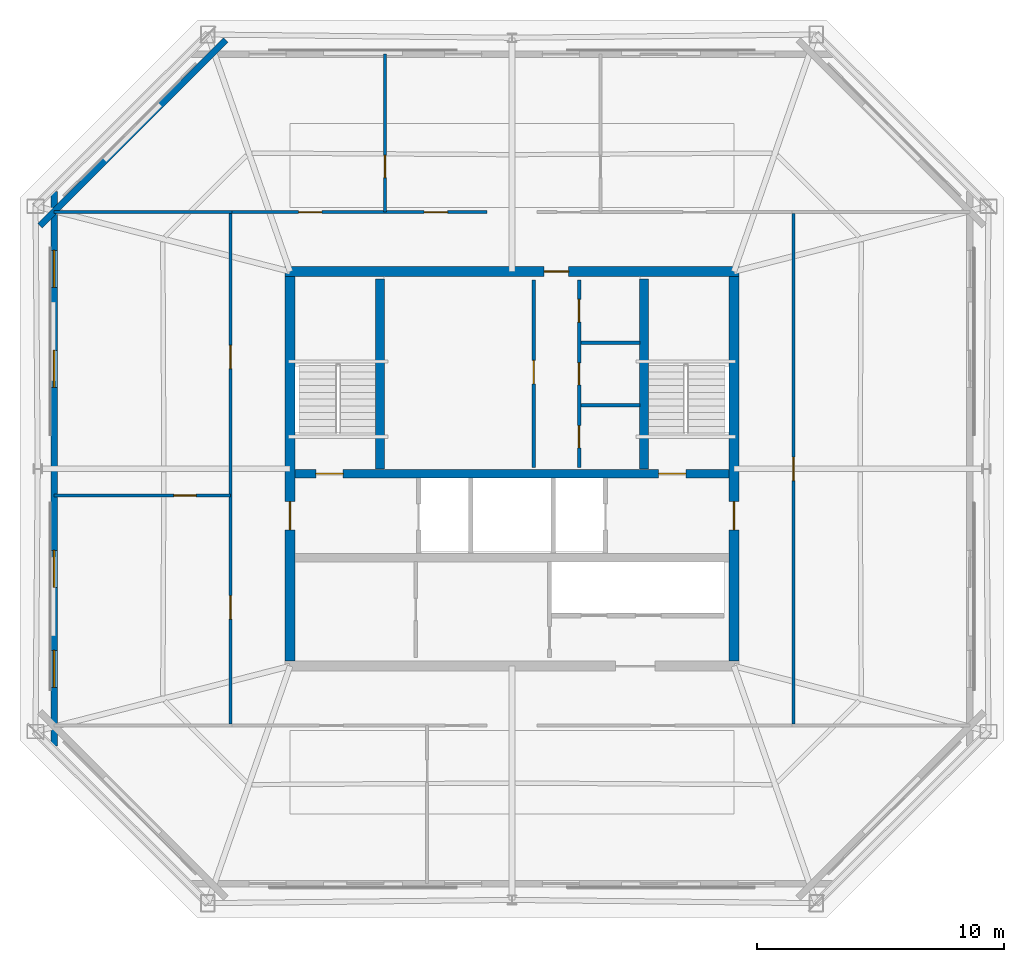
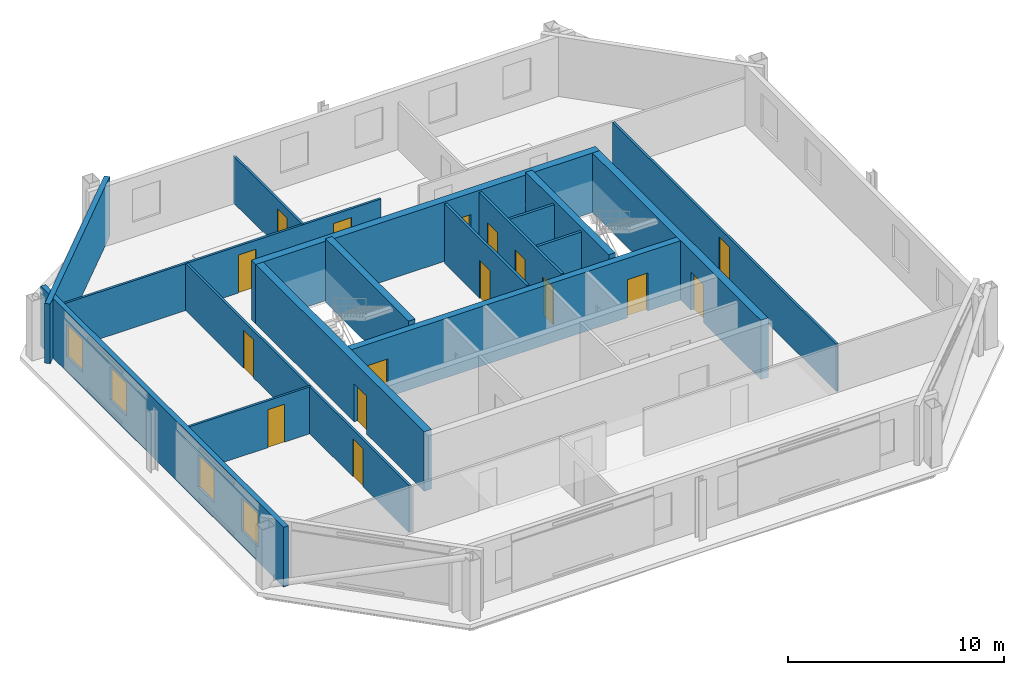
# One storey, part 3 of 6: 18 walls, 16 doors, 4 windows, 20 openings.
"""IFC4 building model written with IfcOpenShell, lengths in metres."""

from ifc_helpers import new_model, si_unit, direction, frame, frame_2d, origin, place, context, subcontext, project, spatial, rectangle, extrude, material, layer, layer_set, type_object, element, fill, save


model = new_model("IFC4")

# Units and contexts
model_context = context("Model", 3, precision=1e-05, world=origin(), true_north=direction((0.0, 1.0)))
body_context = subcontext(model_context, "Body", "Model", "MODEL_VIEW")
ifc_project = project(units=[si_unit("LENGTHUNIT", "METRE"), si_unit("AREAUNIT", "SQUARE_METRE"), si_unit("VOLUMEUNIT", "CUBIC_METRE"), si_unit("PLANEANGLEUNIT", "RADIAN"), si_unit("MASSUNIT", "GRAM", prefix="KILO")], contexts=[model_context])

# Site, building, storey
site_placement = place(None, origin())
site = spatial("IfcSite", under=ifc_project, at=site_placement, CompositionType="ELEMENT")
building_placement = place(site_placement, origin())
building = spatial("IfcBuilding", under=site, at=building_placement, Name="Caelvoria Tower", CompositionType="ELEMENT")
storey_placement = place(building_placement, frame((0.0, 0.0, 243.0)))
storey = spatial("IfcBuildingStorey", under=building, at=storey_placement, Name="L64", CompositionType="ELEMENT", Elevation=243.0)

# Wall, openings, doors
ifc_material_1 = material(Name="Concrete C50/60", Category="concrete")
ifc_layer_1 = layer(ifc_material_1, 0.35009765625, Name="Concrete C50/60")
ifc_layer_set_1 = layer_set([ifc_layer_1], Name="Core Internal Shear Wall 350 - Concrete C50/60")
wall_type_1 = type_object("IfcWallType", Name="Core Internal Shear Wall 350", PredefinedType="SHEAR", material=ifc_layer_set_1)
wall_1_placement = place(storey_placement, frame((37.199951171875, 31.800048828125, 0.0), z_axis=(0.0, 0.0, 1.0), x_axis=(1.0, 0.0, 0.0)))
wall_1 = element("IfcWall", 1, at=wall_1_placement, inside=storey, type_object=wall_type_1, Name="Core Shear Wall L64 M1", PredefinedType="SHEAR", context=body_context, shape_type="SweptSolid", body=[
    extrude(rectangle(XDim=17.60009765625, YDim=0.35009765625, at=frame_2d((8.800048828125, 0.0))), origin(), (0.0, 0.0, 1.0), 3.360107421875),
])
opening_1_placement = place(wall_1_placement, frame((0.85009765625, 0.0, 0.0)))
opening_1 = element("IfcOpeningElement", 2, at=opening_1_placement, cuts=wall_1, Name="Opening ID-01", PredefinedType="OPENING", context=body_context, shape_type="SweptSolid", body=[
    extrude(rectangle(XDim=1.10009765625, YDim=2.14990234375, at=frame_2d((0.550048828125, 1.074951171875))), frame((0.0, 0.18505859375, 0.0), z_axis=(0.0, -1.0, 0.0), x_axis=(1.0, 0.0, 0.0)), (0.0, 0.0, 1.0), 0.3701171875),
])
opening_2_placement = place(wall_1_placement, frame((14.75, 0.0, 0.0)))
opening_2 = element("IfcOpeningElement", 3, at=opening_2_placement, cuts=wall_1, Name="Opening ID-01", PredefinedType="OPENING", context=body_context, shape_type="SweptSolid", body=[
    extrude(rectangle(XDim=1.10009765625, YDim=2.14990234375, at=frame_2d((0.550048828125, 1.074951171875))), frame((0.0, 0.18505859375, 0.0), z_axis=(0.0, -1.0, 0.0), x_axis=(1.0, 0.0, 0.0)), (0.0, 0.0, 1.0), 0.3701171875),
])
ifc_material_2 = material(Name="Painted Hollow Steel Fire Door", Category="steel")
door_type_1 = type_object("IfcDoorType", Name="Fire Door FD90S 1100x2150", OperationType="NOTDEFINED", PredefinedType="DOOR", material=ifc_material_2)
door_1_placement = place(opening_1_placement, origin())
door_1 = element("IfcDoor", 4, at=door_1_placement, inside=storey, type_object=door_type_1, Name="Core Door DR-L64-ST1", OperationType="SINGLE_SWING_LEFT", OverallHeight=2.14990234375, OverallWidth=1.10009765625, PredefinedType="DOOR", context=body_context, shape_type="SweptSolid", body=[
    extrude(rectangle(XDim=1.10009765625, YDim=2.14990234375, at=frame_2d((0.550048828125, 1.074951171875))), frame((0.0, 0.02490234375, 0.0), z_axis=(0.0, -1.0, 0.0), x_axis=(1.0, 0.0, 0.0)), (0.0, 0.0, 1.0), 0.050048828125),
])
fill(opening_1, door_1)
door_2_placement = place(opening_2_placement, origin())
door_2 = element("IfcDoor", 5, at=door_2_placement, inside=storey, type_object=door_type_1, Name="Core Door DR-L64-ST2", OperationType="SINGLE_SWING_RIGHT", OverallHeight=2.14990234375, OverallWidth=1.10009765625, PredefinedType="DOOR", context=body_context, shape_type="SweptSolid", body=[
    extrude(rectangle(XDim=1.10009765625, YDim=2.14990234375, at=frame_2d((0.550048828125, 1.074951171875))), frame((0.0, 0.02490234375, 0.0), z_axis=(0.0, -1.0, 0.0), x_axis=(1.0, 0.0, 0.0)), (0.0, 0.0, 1.0), 0.050048828125),
])
fill(opening_2, door_2)

# Walls
for number, where, z_axis, x_axis, name in (
    (6, (40.64990234375, 32.0, 0.0), (0.0, 0.0, 1.0), (0.0, 1.0, 0.0), "Interior Partition IW-L64-ST1E"),
    (7, (51.35009765625, 32.0, 0.0), (0.0, 0.0, 1.0), (0.0, 1.0, 0.0), "Interior Partition IW-L64-ST2W"),
):
    element("IfcWall", number, at=place(storey_placement, frame(where, z_axis=z_axis, x_axis=x_axis)), inside=storey, type_object=wall_type_1, Name=name, PredefinedType="SHEAR", context=body_context, shape_type="SweptSolid", body=[
        extrude(rectangle(XDim=7.699951171875, YDim=0.35009765625, at=frame_2d((3.85009765625, 0.0))), origin(), (0.0, 0.0, 1.0), 3.60009765625),
    ])

# Wall, opening, door
ifc_material_3 = material(Name="Moisture-Resistant Gypsum on Steel Stud", Category="steel")
ifc_layer_2 = layer(ifc_material_3, 0.139892578125, Name="Moisture-Resistant Gypsum on Steel Stud")
ifc_layer_set_2 = layer_set([ifc_layer_2], Name="Core Sanitary Acoustic Partition Wall 140 - Moisture-Resistant Gypsum on Steel Stud")
wall_type_2 = type_object("IfcWallType", Name="Core Sanitary Acoustic Partition Wall 140", PredefinedType="PARTITIONING", material=ifc_layer_set_2)
wall_2_placement = place(storey_placement, frame((46.8798828125, 32.050048828125, 0.0), z_axis=(0.0, 0.0, 1.0), x_axis=(0.0, 1.0, 0.0)))
wall_2 = element("IfcWall", 8, at=wall_2_placement, inside=storey, type_object=wall_type_2, Name="Interior Partition IW-L64-C2L", PredefinedType="PARTITIONING", context=body_context, shape_type="SweptSolid", body=[
    extrude(rectangle(XDim=7.599853515625, YDim=0.139892578125, at=frame_2d((3.7998046875, 0.0))), origin(), (0.0, 0.0, 1.0), 3.375),
])
opening_3_placement = place(wall_2_placement, frame((3.39990234375, 0.0, 0.0)))
opening_3 = element("IfcOpeningElement", 9, at=opening_3_placement, cuts=wall_2, Name="Opening ID-05", PredefinedType="OPENING", context=body_context, shape_type="SweptSolid", body=[
    extrude(rectangle(XDim=0.949951171875, YDim=2.14990234375, at=frame_2d((0.47509765625, 1.074951171875))), frame((0.0, 0.079833984375, 0.0), z_axis=(0.0, -1.0, 0.0), x_axis=(1.0, 0.0, 0.0)), (0.0, 0.0, 1.0), 0.159912109375),
])
ifc_material_4 = material(Name="Engineered Andean Oak Veneer Door", Category="wood")
door_type_2 = type_object("IfcDoorType", Name="Interior Timber Door 950x2150", OperationType="NOTDEFINED", PredefinedType="DOOR", material=ifc_material_4)
door_3_placement = place(opening_3_placement, origin())
door_3 = element("IfcDoor", 10, at=door_3_placement, inside=storey, type_object=door_type_2, Name="Interior Door DR-L64-C2W", OperationType="SINGLE_SWING_LEFT", OverallHeight=2.14990234375, OverallWidth=0.949951171875, PredefinedType="DOOR", context=body_context, shape_type="SweptSolid", body=[
    extrude(rectangle(XDim=0.949951171875, YDim=2.14990234375, at=frame_2d((0.47509765625, 1.074951171875))), frame((0.0, 0.02490234375, 0.0), z_axis=(0.0, -1.0, 0.0), x_axis=(1.0, 0.0, 0.0)), (0.0, 0.0, 1.0), 0.050048828125),
])
fill(opening_3, door_3)

# Wall, openings, doors
wall_3_placement = place(storey_placement, frame((48.719970703125, 32.050048828125, 0.0), z_axis=(0.0, 0.0, 1.0), x_axis=(0.0, 1.0, 0.0)))
wall_3 = element("IfcWall", 11, at=wall_3_placement, inside=storey, type_object=wall_type_2, Name="Interior Partition IW-L64-C2R", PredefinedType="PARTITIONING", context=body_context, shape_type="SweptSolid", body=[
    extrude(rectangle(XDim=7.599853515625, YDim=0.139892578125, at=frame_2d((3.7998046875, 0.0))), origin(), (0.0, 0.0, 1.0), 3.375),
])
opening_4_placement = place(wall_3_placement, frame((0.800048828125, 0.0, 0.0)))
opening_4 = element("IfcOpeningElement", 12, at=opening_4_placement, cuts=wall_3, Name="Opening ID-04", PredefinedType="OPENING", context=body_context, shape_type="SweptSolid", body=[
    extrude(rectangle(XDim=0.89990234375, YDim=2.14990234375, at=frame_2d((0.449951171875, 1.074951171875))), frame((0.0, 0.079833984375, 0.0), z_axis=(0.0, -1.0, 0.0), x_axis=(1.0, 0.0, 0.0)), (0.0, 0.0, 1.0), 0.159912109375),
])
opening_5_placement = place(wall_3_placement, frame((3.35009765625, 0.0, 0.0)))
opening_5 = element("IfcOpeningElement", 13, at=opening_5_placement, cuts=wall_3, Name="Opening ID-06", PredefinedType="OPENING", context=body_context, shape_type="SweptSolid", body=[
    extrude(rectangle(XDim=0.89990234375, YDim=2.14990234375, at=frame_2d((0.449951171875, 1.074951171875))), frame((0.0, 0.079833984375, 0.0), z_axis=(0.0, -1.0, 0.0), x_axis=(1.0, 0.0, 0.0)), (0.0, 0.0, 1.0), 0.159912109375),
])
opening_6_placement = place(wall_3_placement, frame((5.89990234375, 0.0, 0.0)))
opening_6 = element("IfcOpeningElement", 14, at=opening_6_placement, cuts=wall_3, Name="Opening ID-07", PredefinedType="OPENING", context=body_context, shape_type="SweptSolid", body=[
    extrude(rectangle(XDim=0.919921875, YDim=2.14990234375, at=frame_2d((0.4599609375, 1.074951171875))), frame((0.0, 0.079833984375, 0.0), z_axis=(0.0, -1.0, 0.0), x_axis=(1.0, 0.0, 0.0)), (0.0, 0.0, 1.0), 0.159912109375),
])
ifc_material_5 = material(Name="Engineered Andean Oak Accessible Door", Category="wood")
door_type_3 = type_object("IfcDoorType", Name="Accessible WC Door 950x2150", OperationType="NOTDEFINED", PredefinedType="DOOR", material=ifc_material_5)
door_4_placement = place(opening_6_placement, origin())
door_4 = element("IfcDoor", 15, at=door_4_placement, inside=storey, type_object=door_type_3, Name="Interior Door DR-L64-C2E3", OperationType="SINGLE_SWING_RIGHT", OverallHeight=2.14990234375, OverallWidth=0.919921875, PredefinedType="DOOR", context=body_context, shape_type="SweptSolid", body=[
    extrude(rectangle(XDim=0.919921875, YDim=2.14990234375, at=frame_2d((0.4599609375, 1.074951171875))), frame((0.0, 0.02490234375, 0.0), z_axis=(0.0, -1.0, 0.0), x_axis=(1.0, 0.0, 0.0)), (0.0, 0.0, 1.0), 0.050048828125),
])
fill(opening_6, door_4)
ifc_material_6 = material(Name="Acoustic Timber Fire Door", Category="wood")
door_type_4 = type_object("IfcDoorType", Name="Fire Door FD30S 900x2150", OperationType="NOTDEFINED", PredefinedType="DOOR", material=ifc_material_6)
door_5_placement = place(opening_4_placement, origin())
door_5 = element("IfcDoor", 16, at=door_5_placement, inside=storey, type_object=door_type_4, Name="Interior Door DR-L64-C2E1", OperationType="SINGLE_SWING_RIGHT", OverallHeight=2.14990234375, OverallWidth=0.89990234375, PredefinedType="DOOR", context=body_context, shape_type="SweptSolid", body=[
    extrude(rectangle(XDim=0.89990234375, YDim=2.14990234375, at=frame_2d((0.449951171875, 1.074951171875))), frame((0.0, 0.02490234375, 0.0), z_axis=(0.0, -1.0, 0.0), x_axis=(1.0, 0.0, 0.0)), (0.0, 0.0, 1.0), 0.050048828125),
])
fill(opening_4, door_5)
door_type_5 = type_object("IfcDoorType", Name="Interior Timber Door 900x2150", OperationType="NOTDEFINED", PredefinedType="DOOR", material=ifc_material_4)
door_6_placement = place(opening_5_placement, origin())
door_6 = element("IfcDoor", 17, at=door_6_placement, inside=storey, type_object=door_type_5, Name="Interior Door DR-L64-C2E2", OperationType="SINGLE_SWING_LEFT", OverallHeight=2.14990234375, OverallWidth=0.89990234375, PredefinedType="DOOR", context=body_context, shape_type="SweptSolid", body=[
    extrude(rectangle(XDim=0.89990234375, YDim=2.14990234375, at=frame_2d((0.449951171875, 1.074951171875))), frame((0.0, 0.02490234375, 0.0), z_axis=(0.0, -1.0, 0.0), x_axis=(1.0, 0.0, 0.0)), (0.0, 0.0, 1.0), 0.050048828125),
])
fill(opening_5, door_6)

# Walls
for number, where, z_axis, x_axis, name in (
    (18, (48.800048828125, 34.580078125, 0.0), (0.0, 0.0, 1.0), (1.0, 0.0, 0.0), "Interior Partition IW-L64-C2H1"),
    (19, (48.800048828125, 37.1201171875, 0.0), (0.0, 0.0, 1.0), (1.0, 0.0, 0.0), "Interior Partition IW-L64-C2H2"),
):
    element("IfcWall", number, at=place(storey_placement, frame(where, z_axis=z_axis, x_axis=x_axis)), inside=storey, type_object=wall_type_2, Name=name, PredefinedType="PARTITIONING", context=body_context, shape_type="SweptSolid", body=[
        extrude(rectangle(XDim=2.39990234375, YDim=0.139892578125, at=frame_2d((1.199951171875, 0.0))), origin(), (0.0, 0.0, 1.0), 3.375),
    ])

# Wall, opening, door
ifc_layer_3 = layer(ifc_material_1, 0.39990234375, Name="Concrete C50/60")
ifc_layer_set_3 = layer_set([ifc_layer_3], Name="Summit Core Shear Wall 400 - Concrete C50/60")
wall_type_3 = type_object("IfcWallType", Name="Summit Core Shear Wall 400", PredefinedType="SHEAR", material=ifc_layer_set_3)
wall_4_placement = place(storey_placement, frame((36.800048828125, 40.0, 0.0), z_axis=(0.0, 0.0, 1.0), x_axis=(1.0, 0.0, 0.0)))
wall_4 = element("IfcWall", 20, at=wall_4_placement, inside=storey, type_object=wall_type_3, Name="Core Shear Wall L64 N", PredefinedType="SHEAR", context=body_context, shape_type="SweptSolid", body=[
    extrude(rectangle(XDim=18.39990234375, YDim=0.39990234375, at=frame_2d((9.199951171875, 0.0))), origin(), (0.0, 0.0, 1.0), 3.360107421875),
])
opening_7_placement = place(wall_4_placement, frame((10.5, 0.0, 0.0)))
opening_7 = element("IfcOpeningElement", 21, at=opening_7_placement, cuts=wall_4, Name="Opening ID-03", PredefinedType="OPENING", context=body_context, shape_type="SweptSolid", body=[
    extrude(rectangle(XDim=1.0, YDim=2.14990234375, at=frame_2d((0.5, 1.074951171875))), frame((0.0, 0.2099609375, 0.0), z_axis=(0.0, -1.0, 0.0), x_axis=(1.0, 0.0, 0.0)), (0.0, 0.0, 1.0), 0.419921875),
])
door_type_6 = type_object("IfcDoorType", Name="Fire Door FD60S 1000x2150", OperationType="NOTDEFINED", PredefinedType="DOOR", material=ifc_material_2)
door_7_placement = place(opening_7_placement, origin())
door_7 = element("IfcDoor", 22, at=door_7_placement, inside=storey, type_object=door_type_6, Name="Core Door DR-L64-WC-MAIN", OperationType="SINGLE_SWING_RIGHT", OverallHeight=2.14990234375, OverallWidth=1.0, PredefinedType="DOOR", context=body_context, shape_type="SweptSolid", body=[
    extrude(rectangle(XDim=1.0, YDim=2.14990234375, at=frame_2d((0.5, 1.074951171875))), frame((0.0, 0.02490234375, 0.0), z_axis=(0.0, -1.0, 0.0), x_axis=(1.0, 0.0, 0.0)), (0.0, 0.0, 1.0), 0.050048828125),
])
fill(opening_7, door_7)

wall_5_placement = place(storey_placement, frame((37.0, 24.199951171875, 0.0), z_axis=(0.0, 0.0, 1.0), x_axis=(0.0, 1.0, 0.0)))
wall_5 = element("IfcWall", 23, at=wall_5_placement, inside=storey, type_object=wall_type_3, Name="Core Shear Wall L64 W", PredefinedType="SHEAR", context=body_context, shape_type="SweptSolid", body=[
    extrude(rectangle(XDim=15.60009765625, YDim=0.39990234375, at=frame_2d((7.800048828125, 0.0))), origin(), (0.0, 0.0, 1.0), 3.360107421875),
])
opening_8_placement = place(wall_5_placement, frame((5.324951171875, 0.0, 0.0)))
opening_8 = element("IfcOpeningElement", 24, at=opening_8_placement, cuts=wall_5, Name="Opening ID-02", PredefinedType="OPENING", context=body_context, shape_type="SweptSolid", body=[
    extrude(rectangle(XDim=1.14990234375, YDim=2.14990234375, at=frame_2d((0.574951171875, 1.074951171875))), frame((0.0, 0.2099609375, 0.0), z_axis=(0.0, -1.0, 0.0), x_axis=(1.0, 0.0, 0.0)), (0.0, 0.0, 1.0), 0.419921875),
])
door_type_7 = type_object("IfcDoorType", Name="Fire Door FD60S 1150x2150", OperationType="NOTDEFINED", PredefinedType="DOOR", material=ifc_material_2)
door_8_placement = place(opening_8_placement, origin())
door_8 = element("IfcDoor", 25, at=door_8_placement, inside=storey, type_object=door_type_7, Name="Core Door DR-L64-FFLW-OUT", OperationType="SINGLE_SWING_LEFT", OverallHeight=2.14990234375, OverallWidth=1.14990234375, PredefinedType="DOOR", context=body_context, shape_type="SweptSolid", body=[
    extrude(rectangle(XDim=1.14990234375, YDim=2.14990234375, at=frame_2d((0.574951171875, 1.074951171875))), frame((0.0, 0.02490234375, 0.0), z_axis=(0.0, -1.0, 0.0), x_axis=(1.0, 0.0, 0.0)), (0.0, 0.0, 1.0), 0.050048828125),
])
fill(opening_8, door_8)

wall_6_placement = place(storey_placement, frame((55.0, 24.199951171875, 0.0), z_axis=(0.0, 0.0, 1.0), x_axis=(0.0, 1.0, 0.0)))
wall_6 = element("IfcWall", 26, at=wall_6_placement, inside=storey, type_object=wall_type_3, Name="Core Shear Wall L64 E", PredefinedType="SHEAR", context=body_context, shape_type="SweptSolid", body=[
    extrude(rectangle(XDim=15.60009765625, YDim=0.39990234375, at=frame_2d((7.800048828125, 0.0))), origin(), (0.0, 0.0, 1.0), 3.360107421875),
])
opening_9_placement = place(wall_6_placement, frame((5.324951171875, 0.0, 0.0)))
opening_9 = element("IfcOpeningElement", 27, at=opening_9_placement, cuts=wall_6, Name="Opening ID-02", PredefinedType="OPENING", context=body_context, shape_type="SweptSolid", body=[
    extrude(rectangle(XDim=1.14990234375, YDim=2.14990234375, at=frame_2d((0.574951171875, 1.074951171875))), frame((0.0, 0.2099609375, 0.0), z_axis=(0.0, -1.0, 0.0), x_axis=(1.0, 0.0, 0.0)), (0.0, 0.0, 1.0), 0.419921875),
])
door_9_placement = place(opening_9_placement, origin())
door_9 = element("IfcDoor", 28, at=door_9_placement, inside=storey, type_object=door_type_7, Name="Core Door DR-L64-FFLE-OUT", OperationType="SINGLE_SWING_RIGHT", OverallHeight=2.14990234375, OverallWidth=1.14990234375, PredefinedType="DOOR", context=body_context, shape_type="SweptSolid", body=[
    extrude(rectangle(XDim=1.14990234375, YDim=2.14990234375, at=frame_2d((0.574951171875, 1.074951171875))), frame((0.0, 0.02490234375, 0.0), z_axis=(0.0, -1.0, 0.0), x_axis=(1.0, 0.0, 0.0)), (0.0, 0.0, 1.0), 0.050048828125),
])
fill(opening_9, door_9)

ifc_material_7 = material(Name="Acoustic Gypsum Board on Light-Gauge Stud", Category="gypsum")
ifc_layer_4 = layer(ifc_material_7, 0.1201171875, Name="Acoustic Gypsum Board on Light-Gauge Stud")
ifc_layer_set_4 = layer_set([ifc_layer_4], Name="Tenant Suite Acoustic Partition Wall 120 - Acoustic Gypsum Board on Light-Gauge Stud")
wall_type_4 = type_object("IfcWallType", Name="Tenant Suite Acoustic Partition Wall 120", PredefinedType="PARTITIONING", material=ifc_layer_set_4)
wall_7_placement = place(storey_placement, frame((40.849853515625, 42.409912109375, 0.0), z_axis=(0.0, 0.0, 1.0), x_axis=(0.0, 1.0, 0.0)))
wall_7 = element("IfcWall", 29, at=wall_7_placement, inside=storey, type_object=wall_type_4, Name="Interior Partition IW-L64-ND-00-0", PredefinedType="PARTITIONING", context=body_context, shape_type="SweptSolid", body=[
    extrude(rectangle(XDim=6.41015625, YDim=0.1201171875, at=frame_2d((3.205078125, 0.0))), origin(), (0.0, 0.0, 1.0), 2.655029296875),
])
opening_10_placement = place(wall_7_placement, frame((1.39990234375, 0.0, 0.0)))
opening_10 = element("IfcOpeningElement", 30, at=opening_10_placement, cuts=wall_7, Name="Opening ID-06", PredefinedType="OPENING", context=body_context, shape_type="SweptSolid", body=[
    extrude(rectangle(XDim=0.89990234375, YDim=2.14990234375, at=frame_2d((0.449951171875, 1.074951171875))), frame((0.0, 0.070068359375, 0.0), z_axis=(0.0, -1.0, 0.0), x_axis=(1.0, 0.0, 0.0)), (0.0, 0.0, 1.0), 0.14013671875),
])
door_10_placement = place(opening_10_placement, origin())
door_10 = element("IfcDoor", 31, at=door_10_placement, inside=storey, type_object=door_type_5, Name="Interior Door DR-L64-NM-00-0", OperationType="SINGLE_SWING_RIGHT", OverallHeight=2.14990234375, OverallWidth=0.89990234375, PredefinedType="DOOR", context=body_context, shape_type="SweptSolid", body=[
    extrude(rectangle(XDim=0.89990234375, YDim=2.14990234375, at=frame_2d((0.449951171875, 1.074951171875))), frame((0.0, 0.02490234375, 0.0), z_axis=(0.0, -1.0, 0.0), x_axis=(1.0, 0.0, 0.0)), (0.0, 0.0, 1.0), 0.050048828125),
])
fill(opening_10, door_10)

# Wall, openings, doors
wall_8_placement = place(storey_placement, frame((34.64990234375, 42.409912109375, 0.0), z_axis=(0.0, 0.0, 1.0), x_axis=(1.0, 0.0, 0.0)))
wall_8 = element("IfcWall", 32, at=wall_8_placement, inside=storey, type_object=wall_type_4, Name="Interior Partition IW-L64-NCW-0", PredefinedType="PARTITIONING", context=body_context, shape_type="SweptSolid", body=[
    extrude(rectangle(XDim=10.330078125, YDim=0.1201171875, at=frame_2d((5.1650390625, 0.0))), origin(), (0.0, 0.0, 1.0), 2.655029296875),
])
opening_11_placement = place(wall_8_placement, frame((2.69482421875, 0.0, 0.0)))
opening_11 = element("IfcOpeningElement", 33, at=opening_11_placement, cuts=wall_8, Name="Opening ID-05", PredefinedType="OPENING", context=body_context, shape_type="SweptSolid", body=[
    extrude(rectangle(XDim=0.949951171875, YDim=2.14990234375, at=frame_2d((0.47509765625, 1.074951171875))), frame((0.0, 0.070068359375, 0.0), z_axis=(0.0, -1.0, 0.0), x_axis=(1.0, 0.0, 0.0)), (0.0, 0.0, 1.0), 0.14013671875),
])
opening_12_placement = place(wall_8_placement, frame((7.7900390625, 0.0, 0.0)))
opening_12 = element("IfcOpeningElement", 34, at=opening_12_placement, cuts=wall_8, Name="Opening ID-05", PredefinedType="OPENING", context=body_context, shape_type="SweptSolid", body=[
    extrude(rectangle(XDim=0.949951171875, YDim=2.14990234375, at=frame_2d((0.47509765625, 1.074951171875))), frame((0.0, 0.070068359375, 0.0), z_axis=(0.0, -1.0, 0.0), x_axis=(1.0, 0.0, 0.0)), (0.0, 0.0, 1.0), 0.14013671875),
])
door_11_placement = place(opening_11_placement, origin())
door_11 = element("IfcDoor", 35, at=door_11_placement, inside=storey, type_object=door_type_2, Name="Interior Door DR-L64-NC-00-0", OperationType="SINGLE_SWING_LEFT", OverallHeight=2.14990234375, OverallWidth=0.949951171875, PredefinedType="DOOR", context=body_context, shape_type="SweptSolid", body=[
    extrude(rectangle(XDim=0.949951171875, YDim=2.14990234375, at=frame_2d((0.47509765625, 1.074951171875))), frame((0.0, 0.02490234375, 0.0), z_axis=(0.0, -1.0, 0.0), x_axis=(1.0, 0.0, 0.0)), (0.0, 0.0, 1.0), 0.050048828125),
])
fill(opening_11, door_11)
door_12_placement = place(opening_12_placement, origin())
door_12 = element("IfcDoor", 36, at=door_12_placement, inside=storey, type_object=door_type_2, Name="Interior Door DR-L64-NC-01-0", OperationType="SINGLE_SWING_RIGHT", OverallHeight=2.14990234375, OverallWidth=0.949951171875, PredefinedType="DOOR", context=body_context, shape_type="SweptSolid", body=[
    extrude(rectangle(XDim=0.949951171875, YDim=2.14990234375, at=frame_2d((0.47509765625, 1.074951171875))), frame((0.0, 0.02490234375, 0.0), z_axis=(0.0, -1.0, 0.0), x_axis=(1.0, 0.0, 0.0)), (0.0, 0.0, 1.0), 0.050048828125),
])
fill(opening_12, door_12)

# Wall, opening, door
wall_9_placement = place(storey_placement, frame((34.590087890625, 30.921142578125, 0.0), z_axis=(0.0, 0.0, 1.0), x_axis=(-1.0, 0.0, 0.0)))
wall_9 = element("IfcWall", 37, at=wall_9_placement, inside=storey, type_object=wall_type_4, Name="Interior Partition IW-L64-WD-00-0", PredefinedType="PARTITIONING", context=body_context, shape_type="SweptSolid", body=[
    extrude(rectangle(XDim=7.16015625, YDim=0.1201171875, at=frame_2d((3.580078125, 0.0))), origin(), (0.0, 0.0, 1.0), 2.655029296875),
])
opening_13_placement = place(wall_9_placement, frame((1.39990234375, 0.0, 0.0)))
opening_13 = element("IfcOpeningElement", 38, at=opening_13_placement, cuts=wall_9, Name="Opening ID-06", PredefinedType="OPENING", context=body_context, shape_type="SweptSolid", body=[
    extrude(rectangle(XDim=0.89990234375, YDim=2.14990234375, at=frame_2d((0.449951171875, 1.074951171875))), frame((0.0, 0.070068359375, 0.0), z_axis=(0.0, -1.0, 0.0), x_axis=(1.0, 0.0, 0.0)), (0.0, 0.0, 1.0), 0.14013671875),
])
door_13_placement = place(opening_13_placement, origin())
door_13 = element("IfcDoor", 39, at=door_13_placement, inside=storey, type_object=door_type_5, Name="Interior Door DR-L64-WM-00-0", OperationType="SINGLE_SWING_RIGHT", OverallHeight=2.14990234375, OverallWidth=0.89990234375, PredefinedType="DOOR", context=body_context, shape_type="SweptSolid", body=[
    extrude(rectangle(XDim=0.89990234375, YDim=2.14990234375, at=frame_2d((0.449951171875, 1.074951171875))), frame((0.0, 0.02490234375, 0.0), z_axis=(0.0, -1.0, 0.0), x_axis=(1.0, 0.0, 0.0)), (0.0, 0.0, 1.0), 0.050048828125),
])
fill(opening_13, door_13)

# Wall, openings, doors
wall_10_placement = place(storey_placement, frame((34.590087890625, 21.64990234375, 0.0), z_axis=(0.0, 0.0, 1.0), x_axis=(0.0, 1.0, 0.0)))
wall_10 = element("IfcWall", 40, at=wall_10_placement, inside=storey, type_object=wall_type_4, Name="Interior Partition IW-L64-WCW-0", PredefinedType="PARTITIONING", context=body_context, shape_type="SweptSolid", body=[
    extrude(rectangle(XDim=20.7001953125, YDim=0.1201171875, at=frame_2d((10.35009765625, 0.0))), origin(), (0.0, 0.0, 1.0), 2.655029296875),
])
opening_14_placement = place(wall_10_placement, frame((4.260498046875, 0.0, 0.0)))
opening_14 = element("IfcOpeningElement", 41, at=opening_14_placement, cuts=wall_10, Name="Opening ID-05", PredefinedType="OPENING", context=body_context, shape_type="SweptSolid", body=[
    extrude(rectangle(XDim=0.949951171875, YDim=2.14990234375, at=frame_2d((0.47509765625, 1.074951171875))), frame((0.0, 0.070068359375, 0.0), z_axis=(0.0, -1.0, 0.0), x_axis=(1.0, 0.0, 0.0)), (0.0, 0.0, 1.0), 0.14013671875),
])
opening_15_placement = place(wall_10_placement, frame((14.41064453125, 0.0, 0.0)))
opening_15 = element("IfcOpeningElement", 42, at=opening_15_placement, cuts=wall_10, Name="Opening ID-05", PredefinedType="OPENING", context=body_context, shape_type="SweptSolid", body=[
    extrude(rectangle(XDim=0.949951171875, YDim=2.14990234375, at=frame_2d((0.47509765625, 1.074951171875))), frame((0.0, 0.070068359375, 0.0), z_axis=(0.0, -1.0, 0.0), x_axis=(1.0, 0.0, 0.0)), (0.0, 0.0, 1.0), 0.14013671875),
])
door_14_placement = place(opening_14_placement, origin())
door_14 = element("IfcDoor", 43, at=door_14_placement, inside=storey, type_object=door_type_2, Name="Interior Door DR-L64-WC-00-0", OperationType="SINGLE_SWING_LEFT", OverallHeight=2.14990234375, OverallWidth=0.949951171875, PredefinedType="DOOR", context=body_context, shape_type="SweptSolid", body=[
    extrude(rectangle(XDim=0.949951171875, YDim=2.14990234375, at=frame_2d((0.47509765625, 1.074951171875))), frame((0.0, 0.02490234375, 0.0), z_axis=(0.0, -1.0, 0.0), x_axis=(1.0, 0.0, 0.0)), (0.0, 0.0, 1.0), 0.050048828125),
])
fill(opening_14, door_14)
door_15_placement = place(opening_15_placement, origin())
door_15 = element("IfcDoor", 44, at=door_15_placement, inside=storey, type_object=door_type_2, Name="Interior Door DR-L64-WC-01-0", OperationType="SINGLE_SWING_RIGHT", OverallHeight=2.14990234375, OverallWidth=0.949951171875, PredefinedType="DOOR", context=body_context, shape_type="SweptSolid", body=[
    extrude(rectangle(XDim=0.949951171875, YDim=2.14990234375, at=frame_2d((0.47509765625, 1.074951171875))), frame((0.0, 0.02490234375, 0.0), z_axis=(0.0, -1.0, 0.0), x_axis=(1.0, 0.0, 0.0)), (0.0, 0.0, 1.0), 0.050048828125),
])
fill(opening_15, door_15)

# Wall, opening, door
wall_11_placement = place(storey_placement, frame((57.409912109375, 21.64990234375, 0.0), z_axis=(0.0, 0.0, 1.0), x_axis=(0.0, 1.0, 0.0)))
wall_11 = element("IfcWall", 45, at=wall_11_placement, inside=storey, type_object=wall_type_4, Name="Interior Partition IW-L64-ECW-0", PredefinedType="PARTITIONING", context=body_context, shape_type="SweptSolid", body=[
    extrude(rectangle(XDim=20.7001953125, YDim=0.1201171875, at=frame_2d((10.35009765625, 0.0))), origin(), (0.0, 0.0, 1.0), 2.655029296875),
])
opening_16_placement = place(wall_11_placement, frame((9.875, 0.0, 0.0)))
opening_16 = element("IfcOpeningElement", 46, at=opening_16_placement, cuts=wall_11, Name="Opening ID-05", PredefinedType="OPENING", context=body_context, shape_type="SweptSolid", body=[
    extrude(rectangle(XDim=0.949951171875, YDim=2.14990234375, at=frame_2d((0.47509765625, 1.074951171875))), frame((0.0, 0.070068359375, 0.0), z_axis=(0.0, -1.0, 0.0), x_axis=(1.0, 0.0, 0.0)), (0.0, 0.0, 1.0), 0.14013671875),
])
door_16_placement = place(opening_16_placement, origin())
door_16 = element("IfcDoor", 47, at=door_16_placement, inside=storey, type_object=door_type_2, Name="Interior Door DR-L64-EC-00-0", OperationType="SINGLE_SWING_LEFT", OverallHeight=2.14990234375, OverallWidth=0.949951171875, PredefinedType="DOOR", context=body_context, shape_type="SweptSolid", body=[
    extrude(rectangle(XDim=0.949951171875, YDim=2.14990234375, at=frame_2d((0.47509765625, 1.074951171875))), frame((0.0, 0.02490234375, 0.0), z_axis=(0.0, -1.0, 0.0), x_axis=(1.0, 0.0, 0.0)), (0.0, 0.0, 1.0), 0.050048828125),
])
fill(opening_16, door_16)

# Walls
wall_12_placement = place(storey_placement, frame((34.64990234375, 42.409912109375, 0.0), z_axis=(0.0, 0.0, 1.0), x_axis=(-1.0, 0.0, 0.0)))
element("IfcWall", 48, at=wall_12_placement, inside=storey, type_object=wall_type_4, Name="Interior Partition IW-L64-BNW-0", PredefinedType="PARTITIONING", context=body_context, shape_type="SweptSolid", body=[
    extrude(rectangle(XDim=7.219970703125, YDim=0.1201171875, at=frame_2d((3.60986328125, 0.0))), origin(), (0.0, 0.0, 1.0), 2.655029296875),
])
ifc_material_8 = material(Name="Precast Concrete C40/50 with Bronze Cladding", Category="concrete")
ifc_layer_5 = layer(ifc_material_8, 0.264892578125, Name="Precast Concrete C40/50 with Bronze Cladding")
ifc_layer_set_5 = layer_set([ifc_layer_5], Name="Upper Taper Precast Concrete C40/50 Bronze Facade Wall 265 - Precast Concrete C40/50 with Bronze Cladding")
wall_type_5 = type_object("IfcWallType", Name="Upper Taper Precast Concrete C40/50 Bronze Facade Wall 265", PredefinedType="STANDARD", material=ifc_layer_set_5)
wall_13_placement = place(storey_placement, frame((34.3955078125, 49.393798828125, 0.0), z_axis=(0.0, 0.0, 1.0), x_axis=(-0.707106781187, -0.707106781187, 0.0)))
element("IfcWall", 49, at=wall_13_placement, inside=storey, type_object=wall_type_5, Name="Exterior Facade Wall L64-E5", PredefinedType="STANDARD", context=body_context, shape_type="SweptSolid", body=[
    extrude(rectangle(XDim=10.662109375, YDim=0.264892578125, at=frame_2d((5.3310546875, 0.0))), origin(), (0.0, 0.0, 1.0), 3.375),
])

# Wall, openings, windows
wall_14_placement = place(storey_placement, frame((27.429931640625, 43.239990234375, 0.0), z_axis=(0.0, 0.0, 1.0), x_axis=(0.0, -1.0, 0.0)))
wall_14 = element("IfcWall", 50, at=wall_14_placement, inside=storey, type_object=wall_type_5, Name="Exterior Facade Wall L64-E6", PredefinedType="STANDARD", context=body_context, shape_type="SweptSolid", body=[
    extrude(rectangle(XDim=22.47998046875, YDim=0.264892578125, at=frame_2d((11.239990234375, 0.0))), origin(), (0.0, 0.0, 1.0), 3.375),
])
opening_17_placement = place(wall_14_placement, frame((2.3779296875, 0.0, 0.85009765625)))
opening_17 = element("IfcOpeningElement", 51, at=opening_17_placement, cuts=wall_14, Name="Opening WN-03", PredefinedType="OPENING", context=body_context, shape_type="SweptSolid", body=[
    extrude(rectangle(XDim=1.5, YDim=1.85009765625, at=frame_2d((0.75, 0.925048828125))), frame((0.0, 0.142333984375, 0.0), z_axis=(0.0, -1.0, 0.0), x_axis=(1.0, 0.0, 0.0)), (0.0, 0.0, 1.0), 0.284912109375),
])
opening_18_placement = place(wall_14_placement, frame((6.43408203125, 0.0, 0.85009765625)))
opening_18 = element("IfcOpeningElement", 52, at=opening_18_placement, cuts=wall_14, Name="Opening WN-03", PredefinedType="OPENING", context=body_context, shape_type="SweptSolid", body=[
    extrude(rectangle(XDim=1.5, YDim=1.85009765625, at=frame_2d((0.75, 0.925048828125))), frame((0.0, 0.142333984375, 0.0), z_axis=(0.0, -1.0, 0.0), x_axis=(1.0, 0.0, 0.0)), (0.0, 0.0, 1.0), 0.284912109375),
])
opening_19_placement = place(wall_14_placement, frame((14.5458984375, 0.0, 0.85009765625)))
opening_19 = element("IfcOpeningElement", 53, at=opening_19_placement, cuts=wall_14, Name="Opening WN-03", PredefinedType="OPENING", context=body_context, shape_type="SweptSolid", body=[
    extrude(rectangle(XDim=1.5, YDim=1.85009765625, at=frame_2d((0.75, 0.925048828125))), frame((0.0, 0.142333984375, 0.0), z_axis=(0.0, -1.0, 0.0), x_axis=(1.0, 0.0, 0.0)), (0.0, 0.0, 1.0), 0.284912109375),
])
opening_20_placement = place(wall_14_placement, frame((18.60205078125, 0.0, 0.85009765625)))
opening_20 = element("IfcOpeningElement", 54, at=opening_20_placement, cuts=wall_14, Name="Opening WN-03", PredefinedType="OPENING", context=body_context, shape_type="SweptSolid", body=[
    extrude(rectangle(XDim=1.5, YDim=1.85009765625, at=frame_2d((0.75, 0.925048828125))), frame((0.0, 0.142333984375, 0.0), z_axis=(0.0, -1.0, 0.0), x_axis=(1.0, 0.0, 0.0)), (0.0, 0.0, 1.0), 0.284912109375),
])
ifc_material_9 = material(Name="Low-E Tinted Glass in Bronze Aluminium Frame", Category="aluminium")
window_type = type_object("IfcWindowType", Name="Upper Taper Vision Window 1500x1850", PartitioningType="SINGLE_PANEL", PredefinedType="WINDOW", material=ifc_material_9)
window_1_placement = place(opening_17_placement, origin())
window_1 = element("IfcWindow", 55, at=window_1_placement, inside=storey, type_object=window_type, Name="Facade Window L64-E6-00", OverallHeight=1.85009765625, OverallWidth=1.5, PartitioningType="SINGLE_PANEL", PredefinedType="WINDOW", context=body_context, shape_type="SweptSolid", body=[
    extrude(rectangle(XDim=1.5, YDim=1.85009765625, at=frame_2d((0.75, 0.925048828125))), frame((0.0, 0.030029296875, 0.0), z_axis=(0.0, -1.0, 0.0), x_axis=(1.0, 0.0, 0.0)), (0.0, 0.0, 1.0), 0.06005859375),
])
fill(opening_17, window_1)
window_2_placement = place(opening_18_placement, origin())
window_2 = element("IfcWindow", 56, at=window_2_placement, inside=storey, type_object=window_type, Name="Facade Window L64-E6-01", OverallHeight=1.85009765625, OverallWidth=1.5, PartitioningType="SINGLE_PANEL", PredefinedType="WINDOW", context=body_context, shape_type="SweptSolid", body=[
    extrude(rectangle(XDim=1.5, YDim=1.85009765625, at=frame_2d((0.75, 0.925048828125))), frame((0.0, 0.030029296875, 0.0), z_axis=(0.0, -1.0, 0.0), x_axis=(1.0, 0.0, 0.0)), (0.0, 0.0, 1.0), 0.06005859375),
])
fill(opening_18, window_2)
window_3_placement = place(opening_19_placement, origin())
window_3 = element("IfcWindow", 57, at=window_3_placement, inside=storey, type_object=window_type, Name="Facade Window L64-E6-03", OverallHeight=1.85009765625, OverallWidth=1.5, PartitioningType="SINGLE_PANEL", PredefinedType="WINDOW", context=body_context, shape_type="SweptSolid", body=[
    extrude(rectangle(XDim=1.5, YDim=1.85009765625, at=frame_2d((0.75, 0.925048828125))), frame((0.0, 0.030029296875, 0.0), z_axis=(0.0, -1.0, 0.0), x_axis=(1.0, 0.0, 0.0)), (0.0, 0.0, 1.0), 0.06005859375),
])
fill(opening_19, window_3)
window_4_placement = place(opening_20_placement, origin())
window_4 = element("IfcWindow", 58, at=window_4_placement, inside=storey, type_object=window_type, Name="Facade Window L64-E6-04", OverallHeight=1.85009765625, OverallWidth=1.5, PartitioningType="SINGLE_PANEL", PredefinedType="WINDOW", context=body_context, shape_type="SweptSolid", body=[
    extrude(rectangle(XDim=1.5, YDim=1.85009765625, at=frame_2d((0.75, 0.925048828125))), frame((0.0, 0.030029296875, 0.0), z_axis=(0.0, -1.0, 0.0), x_axis=(1.0, 0.0, 0.0)), (0.0, 0.0, 1.0), 0.06005859375),
])
fill(opening_20, window_4)

save(model, "model.ifc")
